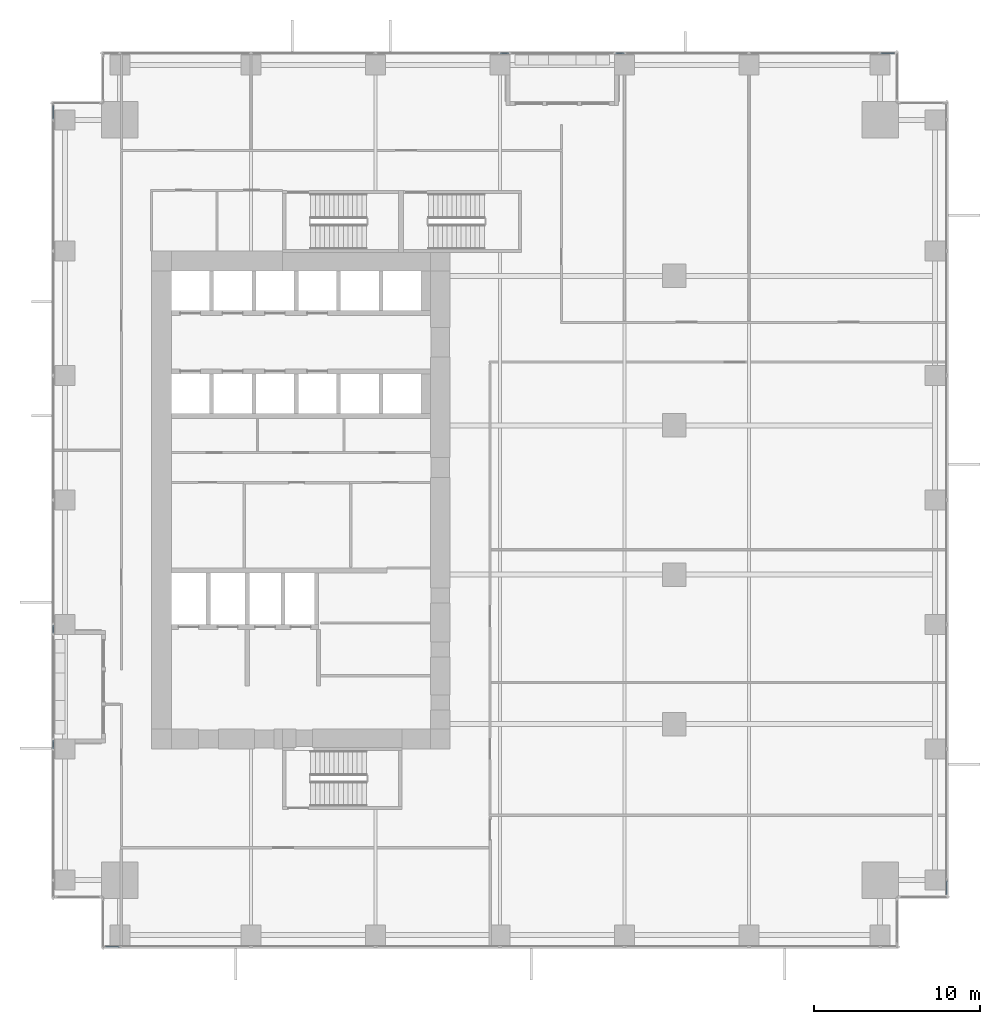
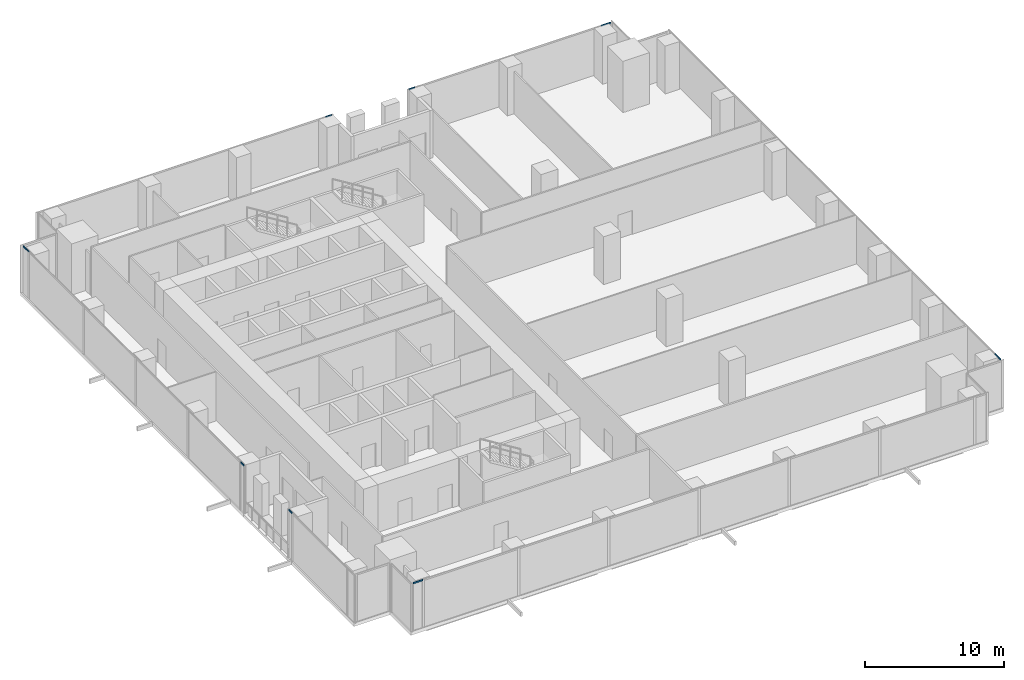
# One storey, part 21 of 33: 8 members, 6 elements without a shape of their own.
"""IFC4 building model written with IfcOpenShell, lengths in metres."""

from ifc_helpers import new_model, si_unit, direction, frame, origin, origin_2d, place, context, subcontext, project, spatial, hollow_rectangle, extrude, source, transform, mapped, material, material_profile, profile_set, type_object, element, aggregate, save


model = new_model("IFC4")

# Units and contexts
model_context = context("Model", 3, precision=1e-05, world=origin(), true_north=direction((0.0, 1.0)))
body_context = subcontext(model_context, "Body", "Model", "MODEL_VIEW")
ifc_project = project(units=[si_unit("LENGTHUNIT", "METRE"), si_unit("AREAUNIT", "SQUARE_METRE"), si_unit("VOLUMEUNIT", "CUBIC_METRE"), si_unit("PLANEANGLEUNIT", "RADIAN"), si_unit("MASSUNIT", "GRAM", prefix="KILO")], contexts=[model_context])

# Site, building, storey
site_placement = place(None, origin())
site = spatial("IfcSite", under=ifc_project, at=site_placement, CompositionType="ELEMENT")
building_placement = place(site_placement, origin())
building = spatial("IfcBuilding", under=site, at=building_placement, Name="Khomas Fold Tower", CompositionType="ELEMENT")
storey_placement = place(building_placement, frame((0.0, 0.0, 55.5)))
storey = spatial("IfcBuildingStorey", under=building, at=storey_placement, Name="L11", CompositionType="ELEMENT", Elevation=55.5)

# Curtain wall, member
ifc_material_1 = material(Name="Aluminium framed double glazing", Category="aluminium")
curtain_wall_type = type_object("IfcCurtainWallType", Name="SK-Unitised clear-glass wall, growing floors CW1", PredefinedType="NOTDEFINED", material=ifc_material_1)
curtain_wall_1_placement = place(storey_placement, origin())
curtain_wall_1 = element("IfcCurtainWall", 1, at=curtain_wall_1_placement, inside=storey, type_object=curtain_wall_type, Name="CW1 run L11 00-0", PredefinedType="NOTDEFINED")
ifc_material_2 = material(Name="Aluminium", Category="aluminium")
ifc_material_profile = material_profile(ifc_material_2, hollow_rectangle(XDim=0.06005859375, YDim=0.1201171875, WallThickness=0.00390625, at=origin_2d()), Name="SK-Unitised clear-glass wall, growing floors transom CW1-T")
ifc_profile_set = profile_set([ifc_material_profile], Name="Aluminium")
member_type = type_object("IfcMemberType", Name="SK-Unitised clear-glass wall, growing floors transom CW1-T", PredefinedType="USERDEFINED", material=ifc_profile_set)
shared_shape_1 = source(origin(), body_context, "Body", "SweptSolid", [
    extrude(hollow_rectangle(XDim=0.06005859375, YDim=0.1201171875, WallThickness=0.00390625, at=origin_2d()), origin(), (0.0, 0.0, 1.0), 0.81005859375),
])
member_1_placement = place(storey_placement, frame((3.260009765625, 0.10009765625, 4.139892578125), z_axis=(1.0, 0.0, 0.0), x_axis=(0.0, 1.0, 0.0)))
member_1 = element("IfcMember", 2, at=member_1_placement, type_object=member_type, Name="CW1 transom 1", ObjectType="TRANSOM", PredefinedType="USERDEFINED", context=body_context, shape_type="MappedRepresentation", body=[
    mapped(shared_shape_1, transform((0.0, 0.0, 0.0))),
])
aggregate(curtain_wall_1, [member_1])

curtain_wall_2_placement = place(storey_placement, origin())
curtain_wall_2 = element("IfcCurtainWall", 3, at=curtain_wall_2_placement, inside=storey, type_object=curtain_wall_type, Name="CW1 run L11 03-0", PredefinedType="NOTDEFINED")
member_2_placement = place(storey_placement, frame((53.89990234375, 3.260009765625, 4.139892578125), z_axis=(0.0, 1.0, 0.0), x_axis=(-1.0, 0.0, 0.0)))
member_2 = element("IfcMember", 4, at=member_2_placement, type_object=member_type, Name="CW1 transom 1", ObjectType="TRANSOM", PredefinedType="USERDEFINED", context=body_context, shape_type="MappedRepresentation", body=[
    mapped(shared_shape_1, transform((0.0, 0.0, 0.0))),
])
aggregate(curtain_wall_2, [member_2])

curtain_wall_3_placement = place(storey_placement, origin())
curtain_wall_3 = element("IfcCurtainWall", 5, at=curtain_wall_3_placement, inside=storey, type_object=curtain_wall_type, Name="CW1 run L11 06-0", PredefinedType="NOTDEFINED")
member_3_placement = place(storey_placement, frame((50.739990234375, 53.89990234375, 4.139892578125), z_axis=(-1.0, 0.0, 0.0), x_axis=(0.0, -1.0, 0.0)))
member_3 = element("IfcMember", 6, at=member_3_placement, type_object=member_type, Name="CW1 transom 1", ObjectType="TRANSOM", PredefinedType="USERDEFINED", context=body_context, shape_type="MappedRepresentation", body=[
    mapped(shared_shape_1, transform((0.0, 0.0, 0.0))),
])

curtain_wall_4_placement = place(storey_placement, origin())
curtain_wall_4 = element("IfcCurtainWall", 7, at=curtain_wall_4_placement, inside=storey, type_object=curtain_wall_type, Name="CW1 run L11 09-0", PredefinedType="NOTDEFINED")
member_4_placement = place(storey_placement, frame((0.10009765625, 50.739990234375, 4.139892578125), z_axis=(0.0, -1.0, 0.0), x_axis=(1.0, 0.0, 0.0)))
member_4 = element("IfcMember", 8, at=member_4_placement, type_object=member_type, Name="CW1 transom 1", ObjectType="TRANSOM", PredefinedType="USERDEFINED", context=body_context, shape_type="MappedRepresentation", body=[
    mapped(shared_shape_1, transform((0.0, 0.0, 0.0))),
])

# Member
shared_shape_2 = source(origin(), body_context, "Body", "SweptSolid", [
    extrude(hollow_rectangle(XDim=0.06005859375, YDim=0.1201171875, WallThickness=0.00390625, at=origin_2d()), origin(), (0.0, 0.0, 1.0), 0.510009765625),
])
member_5_placement = place(storey_placement, frame((34.469970703125, 53.89990234375, 4.139892578125), z_axis=(-1.0, 0.0, 0.0), x_axis=(0.0, -1.0, 0.0)))
member_5 = element("IfcMember", 9, at=member_5_placement, type_object=member_type, Name="CW1 transom 4", ObjectType="TRANSOM", PredefinedType="USERDEFINED", context=body_context, shape_type="MappedRepresentation", body=[
    mapped(shared_shape_2, transform((0.0, 0.0, 0.0))),
])

aggregate(curtain_wall_3, [member_3, member_5])

# Curtain wall, member
curtain_wall_5_placement = place(storey_placement, origin())
curtain_wall_5 = element("IfcCurtainWall", 10, at=curtain_wall_5_placement, inside=storey, type_object=curtain_wall_type, Name="CW1 run L11 06-1", PredefinedType="NOTDEFINED")
member_6_placement = place(storey_placement, frame((27.5400390625, 53.89990234375, 4.139892578125), z_axis=(-1.0, 0.0, 0.0), x_axis=(0.0, -1.0, 0.0)))
member_6 = element("IfcMember", 11, at=member_6_placement, type_object=member_type, Name="CW1 transom 1", ObjectType="TRANSOM", PredefinedType="USERDEFINED", context=body_context, shape_type="MappedRepresentation", body=[
    mapped(shared_shape_2, transform((0.0, 0.0, 0.0))),
])
aggregate(curtain_wall_5, [member_6])

# Member
member_7_placement = place(storey_placement, frame((0.10009765625, 19.469970703125, 4.139892578125), z_axis=(0.0, -1.0, 0.0), x_axis=(1.0, 0.0, 0.0)))
member_7 = element("IfcMember", 12, at=member_7_placement, type_object=member_type, Name="CW1 transom 6", ObjectType="TRANSOM", PredefinedType="USERDEFINED", context=body_context, shape_type="MappedRepresentation", body=[
    mapped(shared_shape_2, transform((0.0, 0.0, 0.0))),
])

aggregate(curtain_wall_4, [member_4, member_7])

# Curtain wall, member
curtain_wall_6_placement = place(storey_placement, origin())
curtain_wall_6 = element("IfcCurtainWall", 13, at=curtain_wall_6_placement, inside=storey, type_object=curtain_wall_type, Name="CW1 run L11 09-1", PredefinedType="NOTDEFINED")
member_8_placement = place(storey_placement, frame((0.10009765625, 12.5400390625, 4.139892578125), z_axis=(0.0, -1.0, 0.0), x_axis=(1.0, 0.0, 0.0)))
member_8 = element("IfcMember", 14, at=member_8_placement, type_object=member_type, Name="CW1 transom 1", ObjectType="TRANSOM", PredefinedType="USERDEFINED", context=body_context, shape_type="MappedRepresentation", body=[
    mapped(shared_shape_2, transform((0.0, 0.0, 0.0))),
])
aggregate(curtain_wall_6, [member_8])

save(model, "model.ifc")
